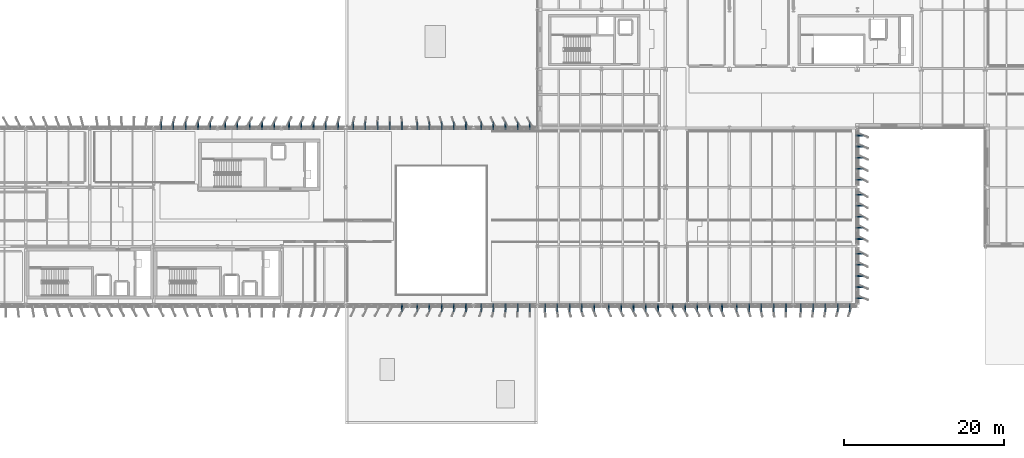
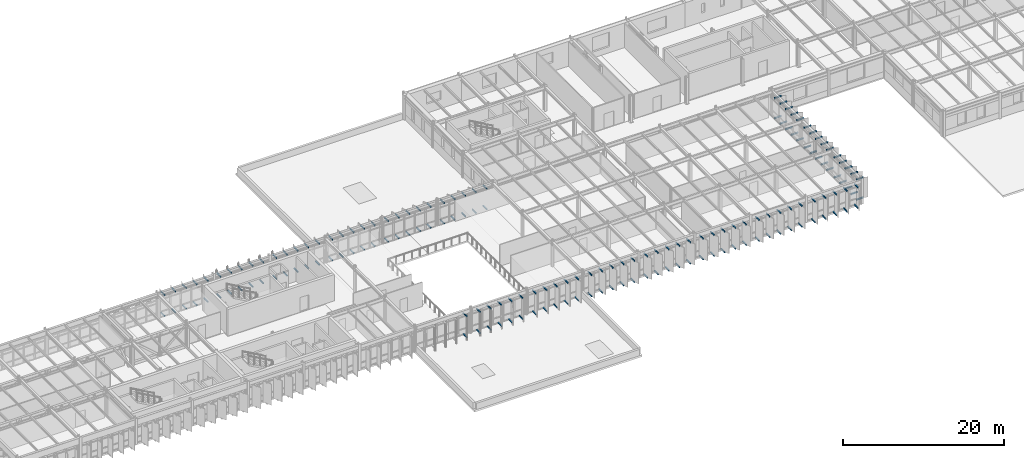
# One storey, part 45 of 56: 162 discrete accessories.
"""IFC4 building model written with IfcOpenShell, lengths in metres."""

from ifc_helpers import new_model, si_unit, direction, frame, origin, origin_2d, place, context, subcontext, project, spatial, rectangle, extrude, material, type_object, element, save


model = new_model("IFC4")

# Units and contexts
model_context = context("Model", 3, precision=1e-05, world=origin(), true_north=direction((0.0, 1.0)))
body_context = subcontext(model_context, "Body", "Model", "MODEL_VIEW")
ifc_project = project(units=[si_unit("LENGTHUNIT", "METRE"), si_unit("AREAUNIT", "SQUARE_METRE"), si_unit("VOLUMEUNIT", "CUBIC_METRE"), si_unit("PLANEANGLEUNIT", "RADIAN"), si_unit("MASSUNIT", "GRAM", prefix="KILO")], contexts=[model_context])

# Site, building, storey
site_placement = place(None, origin())
site = spatial("IfcSite", under=ifc_project, at=site_placement, CompositionType="ELEMENT")
building_placement = place(site_placement, origin())
building = spatial("IfcBuilding", under=site, at=building_placement, Name="Valkorina Park Police Headquarters", CompositionType="ELEMENT")
storey_placement = place(building_placement, frame((0.0, 0.0, 14.10009765625)))
storey = spatial("IfcBuildingStorey", under=building, at=storey_placement, Name="L04", CompositionType="ELEMENT", Elevation=14.10009765625)

# Discrete accessories
ifc_material = material(Name="Thermally broken aluminium AW-6060", Category="aluminium")
discrete_accessory_type = type_object("IfcDiscreteAccessoryType", Name="ACC-BRACKET-LOUVRE", PredefinedType="BRACKET", material=ifc_material)
for number, where, z_axis, x_axis, name in (
    (1, (33.72802734375, 59.47998046875, -0.06982421875), (0.0, 0.0, 1.0), (0.0, 1.0, 0.0), "Louvre Outrigger Bracket BOT 0043"),
    (2, (33.72802734375, 59.47998046875, 3.10498046875), (0.0, 0.0, 1.0), (0.0, 1.0, 0.0), "Louvre Outrigger Bracket TOP 0044"),
    (3, (35.263916015625, 59.47998046875, -0.06982421875), (0.0, 0.0, 1.0), (0.0, 1.0, 0.0), "Louvre Outrigger Bracket BOT 0045"),
    (4, (35.263916015625, 59.47998046875, 3.10498046875), (0.0, 0.0, 1.0), (0.0, 1.0, 0.0), "Louvre Outrigger Bracket TOP 0046"),
    (5, (36.800048828125, 59.47998046875, -0.06982421875), (0.0, 0.0, 1.0), (0.0, 1.0, 0.0), "Louvre Outrigger Bracket BOT 0047"),
    (6, (36.800048828125, 59.47998046875, 3.10498046875), (0.0, 0.0, 1.0), (0.0, 1.0, 0.0), "Louvre Outrigger Bracket TOP 0048"),
    (7, (38.3359375, 59.47998046875, -0.06982421875), (0.0, 0.0, 1.0), (0.0, 1.0, 0.0), "Louvre Outrigger Bracket BOT 0049"),
    (8, (38.3359375, 59.47998046875, 3.10498046875), (0.0, 0.0, 1.0), (0.0, 1.0, 0.0), "Louvre Outrigger Bracket TOP 0050"),
    (9, (39.8720703125, 59.47998046875, -0.06982421875), (0.0, 0.0, 1.0), (0.0, 1.0, 0.0), "Louvre Outrigger Bracket BOT 0051"),
    (10, (39.8720703125, 59.47998046875, 3.10498046875), (0.0, 0.0, 1.0), (0.0, 1.0, 0.0), "Louvre Outrigger Bracket TOP 0052"),
    (11, (41.72802734375, 59.47998046875, -0.06982421875), (0.0, 0.0, 1.0), (0.0, 1.0, 0.0), "Louvre Outrigger Bracket BOT 0053"),
    (12, (41.72802734375, 59.47998046875, 3.10498046875), (0.0, 0.0, 1.0), (0.0, 1.0, 0.0), "Louvre Outrigger Bracket TOP 0054"),
    (13, (43.263916015625, 59.47998046875, -0.06982421875), (0.0, 0.0, 1.0), (0.0, 1.0, 0.0), "Louvre Outrigger Bracket BOT 0055"),
    (14, (43.263916015625, 59.47998046875, 3.10498046875), (0.0, 0.0, 1.0), (0.0, 1.0, 0.0), "Louvre Outrigger Bracket TOP 0056"),
    (15, (44.800048828125, 59.47998046875, -0.06982421875), (0.0, 0.0, 1.0), (0.0, 1.0, 0.0), "Louvre Outrigger Bracket BOT 0057"),
    (16, (44.800048828125, 59.47998046875, 3.10498046875), (0.0, 0.0, 1.0), (0.0, 1.0, 0.0), "Louvre Outrigger Bracket TOP 0058"),
    (17, (46.3359375, 59.47998046875, -0.06982421875), (0.0, 0.0, 1.0), (0.0, 1.0, 0.0), "Louvre Outrigger Bracket BOT 0059"),
    (18, (46.3359375, 59.47998046875, 3.10498046875), (0.0, 0.0, 1.0), (0.0, 1.0, 0.0), "Louvre Outrigger Bracket TOP 0060"),
    (19, (47.8720703125, 59.47998046875, -0.06982421875), (0.0, 0.0, 1.0), (0.0, 1.0, 0.0), "Louvre Outrigger Bracket BOT 0061"),
    (20, (47.8720703125, 59.47998046875, 3.10498046875), (0.0, 0.0, 1.0), (0.0, 1.0, 0.0), "Louvre Outrigger Bracket TOP 0062"),
    (21, (49.72509765625, 59.47998046875, -0.06982421875), (0.0, 0.0, 1.0), (0.0, 1.0, 0.0), "Louvre Outrigger Bracket BOT 0063"),
    (22, (49.72509765625, 59.47998046875, 3.10498046875), (0.0, 0.0, 1.0), (0.0, 1.0, 0.0), "Louvre Outrigger Bracket TOP 0064"),
    (23, (51.255615234375, 59.47998046875, -0.06982421875), (0.0, 0.0, 1.0), (0.0, 1.0, 0.0), "Louvre Outrigger Bracket BOT 0065"),
    (24, (51.255615234375, 59.47998046875, 3.10498046875), (0.0, 0.0, 1.0), (0.0, 1.0, 0.0), "Louvre Outrigger Bracket TOP 0066"),
    (25, (52.7861328125, 59.47998046875, -0.06982421875), (0.0, 0.0, 1.0), (0.0, 1.0, 0.0), "Louvre Outrigger Bracket BOT 0067"),
    (26, (52.7861328125, 59.47998046875, 3.10498046875), (0.0, 0.0, 1.0), (0.0, 1.0, 0.0), "Louvre Outrigger Bracket TOP 0068"),
    (27, (54.31640625, 59.47998046875, -0.06982421875), (0.0, 0.0, 1.0), (0.0, 1.0, 0.0), "Louvre Outrigger Bracket BOT 0069"),
    (28, (54.31640625, 59.47998046875, 3.10498046875), (0.0, 0.0, 1.0), (0.0, 1.0, 0.0), "Louvre Outrigger Bracket TOP 0070"),
    (29, (55.846923828125, 59.47998046875, -0.06982421875), (0.0, 0.0, 1.0), (0.0, 1.0, 0.0), "Louvre Outrigger Bracket BOT 0071"),
    (30, (55.846923828125, 59.47998046875, 3.10498046875), (0.0, 0.0, 1.0), (0.0, 1.0, 0.0), "Louvre Outrigger Bracket TOP 0072"),
    (31, (57.750244140625, 59.47998046875, -0.06982421875), (0.0, 0.0, 1.0), (0.0, 1.0, 0.0), "Louvre Outrigger Bracket BOT 0073"),
    (32, (57.750244140625, 59.47998046875, 3.10498046875), (0.0, 0.0, 1.0), (0.0, 1.0, 0.0), "Louvre Outrigger Bracket TOP 0074"),
    (33, (59.275146484375, 59.47998046875, -0.06982421875), (0.0, 0.0, 1.0), (0.0, 1.0, 0.0), "Louvre Outrigger Bracket BOT 0075"),
    (34, (59.275146484375, 59.47998046875, 3.10498046875), (0.0, 0.0, 1.0), (0.0, 1.0, 0.0), "Louvre Outrigger Bracket TOP 0076"),
    (35, (60.800048828125, 59.47998046875, -0.06982421875), (0.0, 0.0, 1.0), (0.0, 1.0, 0.0), "Louvre Outrigger Bracket BOT 0077"),
    (36, (60.800048828125, 59.47998046875, 3.10498046875), (0.0, 0.0, 1.0), (0.0, 1.0, 0.0), "Louvre Outrigger Bracket TOP 0078"),
    (37, (62.324951171875, 59.47998046875, -0.06982421875), (0.0, 0.0, 1.0), (0.0, 1.0, 0.0), "Louvre Outrigger Bracket BOT 0079"),
    (38, (62.324951171875, 59.47998046875, 3.10498046875), (0.0, 0.0, 1.0), (0.0, 1.0, 0.0), "Louvre Outrigger Bracket TOP 0080"),
    (39, (63.849853515625, 59.47998046875, -0.06982421875), (0.0, 0.0, 1.0), (0.0, 1.0, 0.0), "Louvre Outrigger Bracket BOT 0081"),
    (40, (63.849853515625, 59.47998046875, 3.10498046875), (0.0, 0.0, 1.0), (0.0, 1.0, 0.0), "Louvre Outrigger Bracket TOP 0082"),
    (41, (65.750244140625, 59.47998046875, -0.06982421875), (0.0, 0.0, 1.0), (0.0, 1.0, 0.0), "Louvre Outrigger Bracket BOT 0083"),
    (42, (65.750244140625, 59.47998046875, 3.08984375), (0.0, 0.0, 1.0), (0.0, 1.0, 0.0), "Louvre Outrigger Bracket TOP 0084"),
    (43, (67.275146484375, 59.47998046875, -0.06982421875), (0.0, 0.0, 1.0), (0.0, 1.0, 0.0), "Louvre Outrigger Bracket BOT 0085"),
    (44, (67.275146484375, 59.47998046875, 3.08984375), (0.0, 0.0, 1.0), (0.0, 1.0, 0.0), "Louvre Outrigger Bracket TOP 0086"),
    (45, (68.800048828125, 59.47998046875, -0.06982421875), (0.0, 0.0, 1.0), (0.0, 1.0, 0.0), "Louvre Outrigger Bracket BOT 0087"),
    (46, (68.800048828125, 59.47998046875, 3.08984375), (0.0, 0.0, 1.0), (0.0, 1.0, 0.0), "Louvre Outrigger Bracket TOP 0088"),
    (47, (70.324951171875, 59.47998046875, -0.06982421875), (0.0, 0.0, 1.0), (0.0, 1.0, 0.0), "Louvre Outrigger Bracket BOT 0089"),
    (48, (70.324951171875, 59.47998046875, 3.08984375), (0.0, 0.0, 1.0), (0.0, 1.0, 0.0), "Louvre Outrigger Bracket TOP 0090"),
    (49, (71.849853515625, 59.47998046875, -0.06982421875), (0.0, 0.0, 1.0), (0.0, 1.0, 0.0), "Louvre Outrigger Bracket BOT 0091"),
    (50, (71.849853515625, 59.47998046875, 3.08984375), (0.0, 0.0, 1.0), (0.0, 1.0, 0.0), "Louvre Outrigger Bracket TOP 0092"),
    (51, (73.750244140625, 59.47998046875, -0.06982421875), (0.0, 0.0, 1.0), (0.0, 1.0, 0.0), "Louvre Outrigger Bracket BOT 0093"),
    (52, (73.750244140625, 59.47998046875, 3.02978515625), (0.0, 0.0, 1.0), (0.0, 1.0, 0.0), "Louvre Outrigger Bracket TOP 0094"),
    (53, (75.275146484375, 59.47998046875, -0.06982421875), (0.0, 0.0, 1.0), (0.0, 1.0, 0.0), "Louvre Outrigger Bracket BOT 0095"),
    (54, (75.275146484375, 59.47998046875, 3.02978515625), (0.0, 0.0, 1.0), (0.0, 1.0, 0.0), "Louvre Outrigger Bracket TOP 0096"),
    (55, (76.800048828125, 59.47998046875, -0.06982421875), (0.0, 0.0, 1.0), (0.0, 1.0, 0.0), "Louvre Outrigger Bracket BOT 0097"),
    (56, (76.800048828125, 59.47998046875, 3.02978515625), (0.0, 0.0, 1.0), (0.0, 1.0, 0.0), "Louvre Outrigger Bracket TOP 0098"),
    (57, (78.324951171875, 59.47998046875, -0.06982421875), (0.0, 0.0, 1.0), (0.0, 1.0, 0.0), "Louvre Outrigger Bracket BOT 0099"),
    (58, (78.324951171875, 59.47998046875, 3.02978515625), (0.0, 0.0, 1.0), (0.0, 1.0, 0.0), "Louvre Outrigger Bracket TOP 0100"),
    (59, (79.849853515625, 59.47998046875, -0.06982421875), (0.0, 0.0, 1.0), (0.0, 1.0, 0.0), "Louvre Outrigger Bracket BOT 0101"),
    (60, (79.849853515625, 59.47998046875, 3.02978515625), (0.0, 0.0, 1.0), (0.0, 1.0, 0.0), "Louvre Outrigger Bracket TOP 0102"),
    (61, (121.080078125, 58.27197265625, -0.06982421875), (0.0, 0.0, 1.0), (1.0, 0.0, 0.0), "Louvre Outrigger Bracket BOT 0103"),
    (62, (121.080078125, 58.27197265625, 2.9599609375), (0.0, 0.0, 1.0), (1.0, 0.0, 0.0), "Louvre Outrigger Bracket TOP 0104"),
    (63, (121.080078125, 56.885986328125, -0.06982421875), (0.0, 0.0, 1.0), (1.0, 0.0, 0.0), "Louvre Outrigger Bracket BOT 0105"),
    (64, (121.080078125, 56.885986328125, 2.9599609375), (0.0, 0.0, 1.0), (1.0, 0.0, 0.0), "Louvre Outrigger Bracket TOP 0106"),
    (65, (121.080078125, 55.5, -0.06982421875), (0.0, 0.0, 1.0), (1.0, 0.0, 0.0), "Louvre Outrigger Bracket BOT 0107"),
    (66, (121.080078125, 55.5, 2.9599609375), (0.0, 0.0, 1.0), (1.0, 0.0, 0.0), "Louvre Outrigger Bracket TOP 0108"),
    (67, (121.080078125, 54.114013671875, -0.06982421875), (0.0, 0.0, 1.0), (1.0, 0.0, 0.0), "Louvre Outrigger Bracket BOT 0109"),
    (68, (121.080078125, 54.114013671875, 2.9599609375), (0.0, 0.0, 1.0), (1.0, 0.0, 0.0), "Louvre Outrigger Bracket TOP 0110"),
    (69, (121.080078125, 52.72802734375, -0.06982421875), (0.0, 0.0, 1.0), (1.0, 0.0, 0.0), "Louvre Outrigger Bracket BOT 0111"),
    (70, (121.080078125, 52.72802734375, 2.9599609375), (0.0, 0.0, 1.0), (1.0, 0.0, 0.0), "Louvre Outrigger Bracket TOP 0112"),
    (71, (121.080078125, 50.8720703125, -0.06982421875), (0.0, 0.0, 1.0), (1.0, 0.0, 0.0), "Louvre Outrigger Bracket BOT 0113"),
    (72, (121.080078125, 50.8720703125, 2.9599609375), (0.0, 0.0, 1.0), (1.0, 0.0, 0.0), "Louvre Outrigger Bracket TOP 0114"),
    (73, (121.080078125, 49.486083984375, -0.06982421875), (0.0, 0.0, 1.0), (1.0, 0.0, 0.0), "Louvre Outrigger Bracket BOT 0115"),
    (74, (121.080078125, 49.486083984375, 2.9599609375), (0.0, 0.0, 1.0), (1.0, 0.0, 0.0), "Louvre Outrigger Bracket TOP 0116"),
    (75, (121.080078125, 48.10009765625, -0.06982421875), (0.0, 0.0, 1.0), (1.0, 0.0, 0.0), "Louvre Outrigger Bracket BOT 0117"),
    (76, (121.080078125, 48.10009765625, 2.9599609375), (0.0, 0.0, 1.0), (1.0, 0.0, 0.0), "Louvre Outrigger Bracket TOP 0118"),
    (77, (121.080078125, 46.714111328125, -0.06982421875), (0.0, 0.0, 1.0), (1.0, 0.0, 0.0), "Louvre Outrigger Bracket BOT 0119"),
    (78, (121.080078125, 46.714111328125, 2.9599609375), (0.0, 0.0, 1.0), (1.0, 0.0, 0.0), "Louvre Outrigger Bracket TOP 0120"),
    (79, (121.080078125, 45.327880859375, -0.06982421875), (0.0, 0.0, 1.0), (1.0, 0.0, 0.0), "Louvre Outrigger Bracket BOT 0121"),
    (80, (121.080078125, 45.327880859375, 2.9599609375), (0.0, 0.0, 1.0), (1.0, 0.0, 0.0), "Louvre Outrigger Bracket TOP 0122"),
    (81, (121.080078125, 43.471923828125, -0.06982421875), (0.0, 0.0, 1.0), (1.0, 0.0, 0.0), "Louvre Outrigger Bracket BOT 0123"),
    (82, (121.080078125, 43.471923828125, 2.9599609375), (0.0, 0.0, 1.0), (1.0, 0.0, 0.0), "Louvre Outrigger Bracket TOP 0124"),
    (83, (121.080078125, 42.0859375, -0.06982421875), (0.0, 0.0, 1.0), (1.0, 0.0, 0.0), "Louvre Outrigger Bracket BOT 0125"),
    (84, (121.080078125, 42.0859375, 2.9599609375), (0.0, 0.0, 1.0), (1.0, 0.0, 0.0), "Louvre Outrigger Bracket TOP 0126"),
    (85, (121.080078125, 40.699951171875, -0.06982421875), (0.0, 0.0, 1.0), (1.0, 0.0, 0.0), "Louvre Outrigger Bracket BOT 0127"),
    (86, (121.080078125, 40.699951171875, 2.9599609375), (0.0, 0.0, 1.0), (1.0, 0.0, 0.0), "Louvre Outrigger Bracket TOP 0128"),
    (87, (121.080078125, 39.31396484375, -0.06982421875), (0.0, 0.0, 1.0), (1.0, 0.0, 0.0), "Louvre Outrigger Bracket BOT 0129"),
    (88, (121.080078125, 39.31396484375, 2.9599609375), (0.0, 0.0, 1.0), (1.0, 0.0, 0.0), "Louvre Outrigger Bracket TOP 0130"),
    (89, (121.080078125, 37.927978515625, -0.06982421875), (0.0, 0.0, 1.0), (1.0, 0.0, 0.0), "Louvre Outrigger Bracket BOT 0131"),
    (90, (121.080078125, 37.927978515625, 2.9599609375), (0.0, 0.0, 1.0), (1.0, 0.0, 0.0), "Louvre Outrigger Bracket TOP 0132"),
    (91, (119.8720703125, 36.719970703125, -0.06982421875), (0.0, 0.0, 1.0), (0.0, -1.0, 0.0), "Louvre Outrigger Bracket BOT 0133"),
    (92, (119.8720703125, 36.719970703125, 3.02001953125), (0.0, 0.0, 1.0), (0.0, -1.0, 0.0), "Louvre Outrigger Bracket TOP 0134"),
    (93, (118.3359375, 36.719970703125, -0.06982421875), (0.0, 0.0, 1.0), (0.0, -1.0, 0.0), "Louvre Outrigger Bracket BOT 0135"),
    (94, (118.3359375, 36.719970703125, 3.02001953125), (0.0, 0.0, 1.0), (0.0, -1.0, 0.0), "Louvre Outrigger Bracket TOP 0136"),
    (95, (116.800048828125, 36.719970703125, -0.06982421875), (0.0, 0.0, 1.0), (0.0, -1.0, 0.0), "Louvre Outrigger Bracket BOT 0137"),
    (96, (116.800048828125, 36.719970703125, 3.02001953125), (0.0, 0.0, 1.0), (0.0, -1.0, 0.0), "Louvre Outrigger Bracket TOP 0138"),
    (97, (115.263916015625, 36.719970703125, -0.06982421875), (0.0, 0.0, 1.0), (0.0, -1.0, 0.0), "Louvre Outrigger Bracket BOT 0139"),
    (98, (115.263916015625, 36.719970703125, 3.02001953125), (0.0, 0.0, 1.0), (0.0, -1.0, 0.0), "Louvre Outrigger Bracket TOP 0140"),
    (99, (113.72802734375, 36.719970703125, -0.06982421875), (0.0, 0.0, 1.0), (0.0, -1.0, 0.0), "Louvre Outrigger Bracket BOT 0141"),
    (100, (113.72802734375, 36.719970703125, 3.02001953125), (0.0, 0.0, 1.0), (0.0, -1.0, 0.0), "Louvre Outrigger Bracket TOP 0142"),
    (101, (111.8720703125, 36.719970703125, -0.06982421875), (0.0, 0.0, 1.0), (0.0, -1.0, 0.0), "Louvre Outrigger Bracket BOT 0143"),
    (102, (111.8720703125, 36.719970703125, 3.02001953125), (0.0, 0.0, 1.0), (0.0, -1.0, 0.0), "Louvre Outrigger Bracket TOP 0144"),
    (103, (110.3359375, 36.719970703125, -0.06982421875), (0.0, 0.0, 1.0), (0.0, -1.0, 0.0), "Louvre Outrigger Bracket BOT 0145"),
    (104, (110.3359375, 36.719970703125, 3.02001953125), (0.0, 0.0, 1.0), (0.0, -1.0, 0.0), "Louvre Outrigger Bracket TOP 0146"),
    (105, (108.800048828125, 36.719970703125, -0.06982421875), (0.0, 0.0, 1.0), (0.0, -1.0, 0.0), "Louvre Outrigger Bracket BOT 0147"),
    (106, (108.800048828125, 36.719970703125, 3.02001953125), (0.0, 0.0, 1.0), (0.0, -1.0, 0.0), "Louvre Outrigger Bracket TOP 0148"),
    (107, (107.263916015625, 36.719970703125, -0.06982421875), (0.0, 0.0, 1.0), (0.0, -1.0, 0.0), "Louvre Outrigger Bracket BOT 0149"),
    (108, (107.263916015625, 36.719970703125, 3.02001953125), (0.0, 0.0, 1.0), (0.0, -1.0, 0.0), "Louvre Outrigger Bracket TOP 0150"),
    (109, (105.72802734375, 36.719970703125, -0.06982421875), (0.0, 0.0, 1.0), (0.0, -1.0, 0.0), "Louvre Outrigger Bracket BOT 0151"),
    (110, (105.72802734375, 36.719970703125, 3.02001953125), (0.0, 0.0, 1.0), (0.0, -1.0, 0.0), "Louvre Outrigger Bracket TOP 0152"),
    (111, (103.8720703125, 36.719970703125, -0.06982421875), (0.0, 0.0, 1.0), (0.0, -1.0, 0.0), "Louvre Outrigger Bracket BOT 0153"),
    (112, (103.8720703125, 36.719970703125, 3.02001953125), (0.0, 0.0, 1.0), (0.0, -1.0, 0.0), "Louvre Outrigger Bracket TOP 0154"),
    (113, (102.3359375, 36.719970703125, -0.06982421875), (0.0, 0.0, 1.0), (0.0, -1.0, 0.0), "Louvre Outrigger Bracket BOT 0155"),
    (114, (102.3359375, 36.719970703125, 3.02001953125), (0.0, 0.0, 1.0), (0.0, -1.0, 0.0), "Louvre Outrigger Bracket TOP 0156"),
    (115, (100.800048828125, 36.719970703125, -0.06982421875), (0.0, 0.0, 1.0), (0.0, -1.0, 0.0), "Louvre Outrigger Bracket BOT 0157"),
    (116, (100.800048828125, 36.719970703125, 3.02001953125), (0.0, 0.0, 1.0), (0.0, -1.0, 0.0), "Louvre Outrigger Bracket TOP 0158"),
    (117, (99.263916015625, 36.719970703125, -0.06982421875), (0.0, 0.0, 1.0), (0.0, -1.0, 0.0), "Louvre Outrigger Bracket BOT 0159"),
    (118, (99.263916015625, 36.719970703125, 3.02001953125), (0.0, 0.0, 1.0), (0.0, -1.0, 0.0), "Louvre Outrigger Bracket TOP 0160"),
    (119, (97.72802734375, 36.719970703125, -0.06982421875), (0.0, 0.0, 1.0), (0.0, -1.0, 0.0), "Louvre Outrigger Bracket BOT 0161"),
    (120, (97.72802734375, 36.719970703125, 3.02001953125), (0.0, 0.0, 1.0), (0.0, -1.0, 0.0), "Louvre Outrigger Bracket TOP 0162"),
    (121, (95.8720703125, 36.719970703125, -0.06982421875), (0.0, 0.0, 1.0), (0.0, -1.0, 0.0), "Louvre Outrigger Bracket BOT 0163"),
    (122, (95.8720703125, 36.719970703125, 3.10498046875), (0.0, 0.0, 1.0), (0.0, -1.0, 0.0), "Louvre Outrigger Bracket TOP 0164"),
    (123, (94.3359375, 36.719970703125, -0.06982421875), (0.0, 0.0, 1.0), (0.0, -1.0, 0.0), "Louvre Outrigger Bracket BOT 0165"),
    (124, (94.3359375, 36.719970703125, 3.10498046875), (0.0, 0.0, 1.0), (0.0, -1.0, 0.0), "Louvre Outrigger Bracket TOP 0166"),
    (125, (92.800048828125, 36.719970703125, -0.06982421875), (0.0, 0.0, 1.0), (0.0, -1.0, 0.0), "Louvre Outrigger Bracket BOT 0167"),
    (126, (92.800048828125, 36.719970703125, 3.10498046875), (0.0, 0.0, 1.0), (0.0, -1.0, 0.0), "Louvre Outrigger Bracket TOP 0168"),
    (127, (91.263916015625, 36.719970703125, -0.06982421875), (0.0, 0.0, 1.0), (0.0, -1.0, 0.0), "Louvre Outrigger Bracket BOT 0169"),
    (128, (91.263916015625, 36.719970703125, 3.10498046875), (0.0, 0.0, 1.0), (0.0, -1.0, 0.0), "Louvre Outrigger Bracket TOP 0170"),
    (129, (89.72802734375, 36.719970703125, -0.06982421875), (0.0, 0.0, 1.0), (0.0, -1.0, 0.0), "Louvre Outrigger Bracket BOT 0171"),
    (130, (89.72802734375, 36.719970703125, 3.10498046875), (0.0, 0.0, 1.0), (0.0, -1.0, 0.0), "Louvre Outrigger Bracket TOP 0172"),
    (131, (87.874755859375, 36.719970703125, -0.06982421875), (0.0, 0.0, 1.0), (0.0, -1.0, 0.0), "Louvre Outrigger Bracket BOT 0173"),
    (132, (87.874755859375, 36.719970703125, 3.10498046875), (0.0, 0.0, 1.0), (0.0, -1.0, 0.0), "Louvre Outrigger Bracket TOP 0174"),
    (133, (86.34423828125, 36.719970703125, -0.06982421875), (0.0, 0.0, 1.0), (0.0, -1.0, 0.0), "Louvre Outrigger Bracket BOT 0175"),
    (134, (86.34423828125, 36.719970703125, 3.10498046875), (0.0, 0.0, 1.0), (0.0, -1.0, 0.0), "Louvre Outrigger Bracket TOP 0176"),
    (135, (84.81396484375, 36.719970703125, -0.06982421875), (0.0, 0.0, 1.0), (0.0, -1.0, 0.0), "Louvre Outrigger Bracket BOT 0177"),
    (136, (84.81396484375, 36.719970703125, 3.10498046875), (0.0, 0.0, 1.0), (0.0, -1.0, 0.0), "Louvre Outrigger Bracket TOP 0178"),
    (137, (83.283447265625, 36.719970703125, -0.06982421875), (0.0, 0.0, 1.0), (0.0, -1.0, 0.0), "Louvre Outrigger Bracket BOT 0179"),
    (138, (83.283447265625, 36.719970703125, 3.10498046875), (0.0, 0.0, 1.0), (0.0, -1.0, 0.0), "Louvre Outrigger Bracket TOP 0180"),
    (139, (81.7529296875, 36.719970703125, -0.06982421875), (0.0, 0.0, 1.0), (0.0, -1.0, 0.0), "Louvre Outrigger Bracket BOT 0181"),
    (140, (81.7529296875, 36.719970703125, 3.10498046875), (0.0, 0.0, 1.0), (0.0, -1.0, 0.0), "Louvre Outrigger Bracket TOP 0182"),
    (141, (79.849853515625, 36.719970703125, -0.06982421875), (0.0, 0.0, 1.0), (0.0, -1.0, 0.0), "Louvre Outrigger Bracket BOT 0183"),
    (142, (79.849853515625, 36.719970703125, 3.10498046875), (0.0, 0.0, 1.0), (0.0, -1.0, 0.0), "Louvre Outrigger Bracket TOP 0184"),
    (143, (78.324951171875, 36.719970703125, -0.06982421875), (0.0, 0.0, 1.0), (0.0, -1.0, 0.0), "Louvre Outrigger Bracket BOT 0185"),
    (144, (78.324951171875, 36.719970703125, 3.10498046875), (0.0, 0.0, 1.0), (0.0, -1.0, 0.0), "Louvre Outrigger Bracket TOP 0186"),
    (145, (76.800048828125, 36.719970703125, -0.06982421875), (0.0, 0.0, 1.0), (0.0, -1.0, 0.0), "Louvre Outrigger Bracket BOT 0187"),
    (146, (76.800048828125, 36.719970703125, 3.10498046875), (0.0, 0.0, 1.0), (0.0, -1.0, 0.0), "Louvre Outrigger Bracket TOP 0188"),
    (147, (75.275146484375, 36.719970703125, -0.06982421875), (0.0, 0.0, 1.0), (0.0, -1.0, 0.0), "Louvre Outrigger Bracket BOT 0189"),
    (148, (75.275146484375, 36.719970703125, 3.10498046875), (0.0, 0.0, 1.0), (0.0, -1.0, 0.0), "Louvre Outrigger Bracket TOP 0190"),
    (149, (73.750244140625, 36.719970703125, -0.06982421875), (0.0, 0.0, 1.0), (0.0, -1.0, 0.0), "Louvre Outrigger Bracket BOT 0191"),
    (150, (73.750244140625, 36.719970703125, 3.10498046875), (0.0, 0.0, 1.0), (0.0, -1.0, 0.0), "Louvre Outrigger Bracket TOP 0192"),
    (151, (71.849853515625, 36.719970703125, -0.06982421875), (0.0, 0.0, 1.0), (0.0, -1.0, 0.0), "Louvre Outrigger Bracket BOT 0193"),
    (152, (71.849853515625, 36.719970703125, 3.10498046875), (0.0, 0.0, 1.0), (0.0, -1.0, 0.0), "Louvre Outrigger Bracket TOP 0194"),
    (153, (70.324951171875, 36.719970703125, -0.06982421875), (0.0, 0.0, 1.0), (0.0, -1.0, 0.0), "Louvre Outrigger Bracket BOT 0195"),
    (154, (70.324951171875, 36.719970703125, 3.10498046875), (0.0, 0.0, 1.0), (0.0, -1.0, 0.0), "Louvre Outrigger Bracket TOP 0196"),
    (155, (68.800048828125, 36.719970703125, -0.06982421875), (0.0, 0.0, 1.0), (0.0, -1.0, 0.0), "Louvre Outrigger Bracket BOT 0197"),
    (156, (68.800048828125, 36.719970703125, 3.10498046875), (0.0, 0.0, 1.0), (0.0, -1.0, 0.0), "Louvre Outrigger Bracket TOP 0198"),
    (157, (67.275146484375, 36.719970703125, -0.06982421875), (0.0, 0.0, 1.0), (0.0, -1.0, 0.0), "Louvre Outrigger Bracket BOT 0199"),
    (158, (67.275146484375, 36.719970703125, 3.10498046875), (0.0, 0.0, 1.0), (0.0, -1.0, 0.0), "Louvre Outrigger Bracket TOP 0200"),
    (159, (65.750244140625, 36.719970703125, -0.06982421875), (0.0, 0.0, 1.0), (0.0, -1.0, 0.0), "Louvre Outrigger Bracket BOT 0201"),
    (160, (65.750244140625, 36.719970703125, 3.10498046875), (0.0, 0.0, 1.0), (0.0, -1.0, 0.0), "Louvre Outrigger Bracket TOP 0202"),
    (161, (63.849853515625, 36.719970703125, -0.06982421875), (0.0, 0.0, 1.0), (0.0, -1.0, 0.0), "Louvre Outrigger Bracket BOT 0203"),
    (162, (63.849853515625, 36.719970703125, 3.10498046875), (0.0, 0.0, 1.0), (0.0, -1.0, 0.0), "Louvre Outrigger Bracket TOP 0204"),
):
    element("IfcDiscreteAccessory", number, at=place(storey_placement, frame(where, z_axis=z_axis, x_axis=x_axis)), inside=storey, type_object=discrete_accessory_type, Name=name, PredefinedType="BRACKET", context=body_context, shape_type="SweptSolid", body=[
        extrude(rectangle(XDim=0.9599609375, YDim=0.139892578125, at=origin_2d()), origin(), (0.0, 0.0, 1.0), 0.179931640625),
    ])

save(model, "model.ifc")
